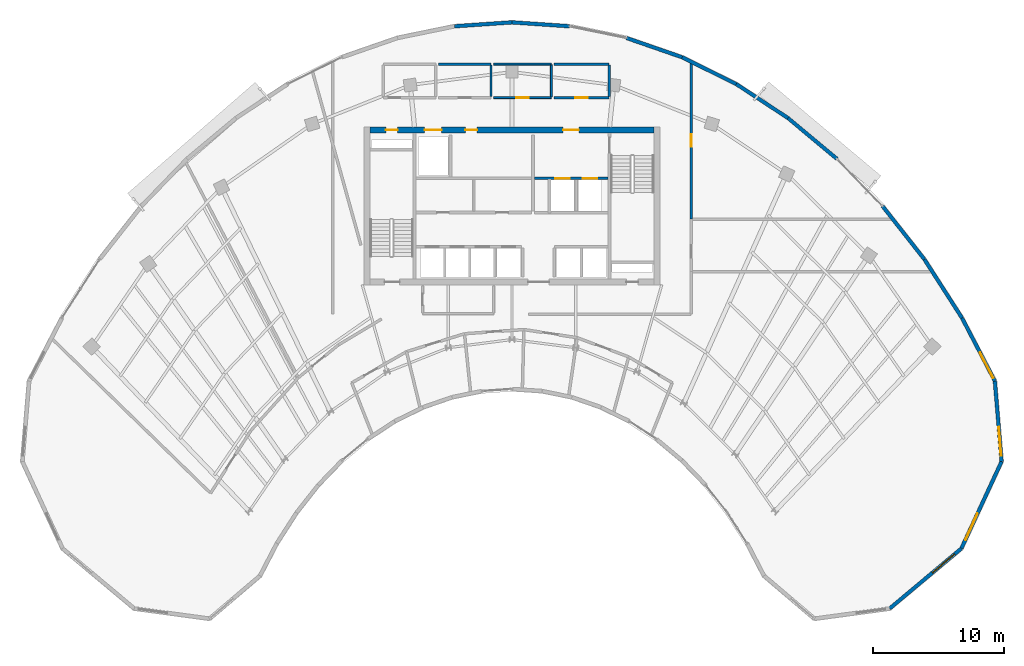
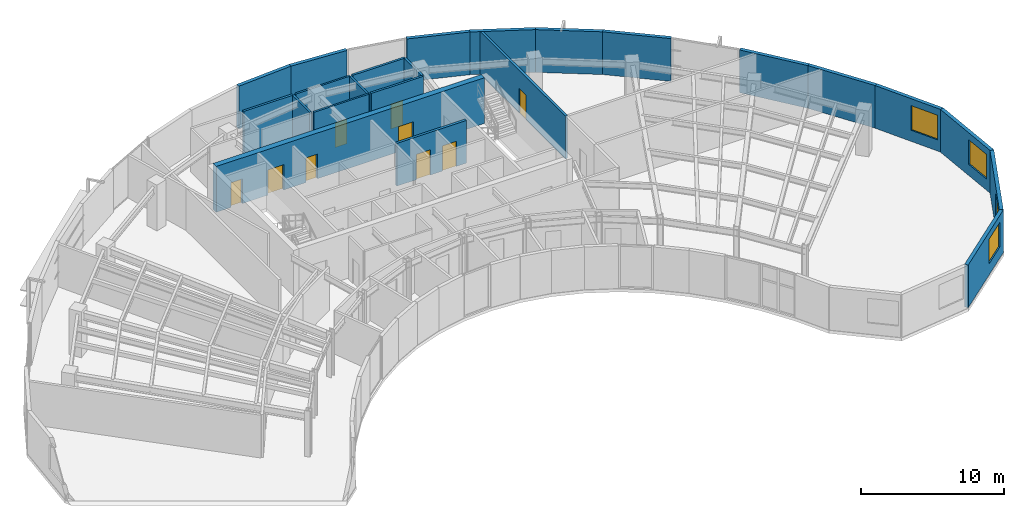
# One storey, part 11 of 14: 23 walls, 9 doors, 4 windows, 13 openings.
"""IFC4 building model written with IfcOpenShell, lengths in metres."""

from ifc_helpers import new_model, si_unit, direction, frame, frame_2d, origin, place, context, subcontext, project, spatial, rectangle, extrude, source, transform, mapped, material, layer, layer_set, type_object, type_shapes, element, fill, save


model = new_model("IFC4")

# Units and contexts
model_context = context("Model", 3, precision=1e-05, world=origin(), true_north=direction((0.0, 1.0)))
body_context = subcontext(model_context, "Body", "Model", "MODEL_VIEW")
ifc_project = project(units=[si_unit("LENGTHUNIT", "METRE"), si_unit("AREAUNIT", "SQUARE_METRE"), si_unit("VOLUMEUNIT", "CUBIC_METRE"), si_unit("PLANEANGLEUNIT", "RADIAN"), si_unit("MASSUNIT", "GRAM", prefix="KILO")], contexts=[model_context])

# Site, building, storey
site_placement = place(None, origin())
site = spatial("IfcSite", under=ifc_project, at=site_placement, CompositionType="ELEMENT")
building_placement = place(site_placement, origin())
building = spatial("IfcBuilding", under=site, at=building_placement, Name="Breltana Convention Tower", CompositionType="ELEMENT")
storey_placement = place(building_placement, frame((0.0, 0.0, 219.60009765625)))
storey = spatial("IfcBuildingStorey", under=building, at=storey_placement, Name="L53", CompositionType="ELEMENT", Elevation=219.60009765625)

# Wall, openings, doors
ifc_material_1 = material(Name="Concrete C60/75", Category="concrete")
ifc_layer_1 = layer(ifc_material_1, 0.449951171875, Name="Concrete C60/75")
ifc_layer_set_1 = layer_set([ifc_layer_1], Name="Concrete C60/75")
wall_type_1 = type_object("IfcWallType", Name="SW-CORE-450", PredefinedType="SHEAR", material=ifc_layer_set_1)
shared_shape_1 = source(origin(), body_context, "Body", "SweptSolid", [
    extrude(rectangle(XDim=21.60009765625, YDim=0.449951171875, at=frame_2d((10.800048828125, 0.0))), origin(), (0.0, 0.0, 1.0), 3.89990234375),
])
wall_1_placement = place(storey_placement, frame((37.199951171875, 71.97509765625, 0.0), z_axis=(0.0, 0.0, 1.0), x_axis=(1.0, 0.0, 0.0)))
wall_1 = element("IfcWall", 1, at=wall_1_placement, inside=storey, type_object=wall_type_1, Name="L53 North Core Shear Wall", PredefinedType="SHEAR", context=body_context, shape_type="MappedRepresentation", body=[
    mapped(shared_shape_1, transform((0.0, 0.0, 0.0), scale=1.0)),
])
opening_1_placement = place(wall_1_placement, frame((1.199951171875, 0.0, 0.0)))
opening_1 = element("IfcOpeningElement", 2, at=opening_1_placement, cuts=wall_1, Name="Opening D-18", PredefinedType="OPENING", context=body_context, shape_type="SweptSolid", body=[
    extrude(rectangle(XDim=0.89990234375, YDim=2.10009765625, at=frame_2d((0.449951171875, 1.050048828125))), frame((0.0, 0.23486328125, 0.0), z_axis=(0.0, -1.0, 0.0), x_axis=(1.0, 0.0, 0.0)), (0.0, 0.0, 1.0), 0.469970703125),
])
opening_2_placement = place(wall_1_placement, frame((14.699951171875, 0.0, 0.0)))
opening_2 = element("IfcOpeningElement", 3, at=opening_2_placement, cuts=wall_1, Name="Opening D-09", PredefinedType="OPENING", context=body_context, shape_type="SweptSolid", body=[
    extrude(rectangle(XDim=1.199951171875, YDim=2.14990234375, at=frame_2d((0.60009765625, 1.074951171875))), frame((0.0, 0.23486328125, 0.0), z_axis=(0.0, -1.0, 0.0), x_axis=(1.0, 0.0, 0.0)), (0.0, 0.0, 1.0), 0.469970703125),
])
opening_3_placement = place(wall_1_placement, frame((4.14990234375, 0.0, 0.0)))
opening_3 = element("IfcOpeningElement", 4, at=opening_3_placement, cuts=wall_1, Name="Opening LD-01", PredefinedType="OPENING", context=body_context, shape_type="SweptSolid", body=[
    extrude(rectangle(XDim=1.300048828125, YDim=2.14990234375, at=frame_2d((0.64990234375, 1.074951171875))), frame((0.0, 0.23486328125, 0.0), z_axis=(0.0, -1.0, 0.0), x_axis=(1.0, 0.0, 0.0)), (0.0, 0.0, 1.0), 0.469970703125),
])
opening_4_placement = place(wall_1_placement, frame((7.25, 0.0, 0.0)))
opening_4 = element("IfcOpeningElement", 5, at=opening_4_placement, cuts=wall_1, Name="Opening D-18", PredefinedType="OPENING", context=body_context, shape_type="SweptSolid", body=[
    extrude(rectangle(XDim=0.89990234375, YDim=2.10009765625, at=frame_2d((0.449951171875, 1.050048828125))), frame((0.0, 0.23486328125, 0.0), z_axis=(0.0, -1.0, 0.0), x_axis=(1.0, 0.0, 0.0)), (0.0, 0.0, 1.0), 0.469970703125),
])
ifc_material_2 = material(Name="Steel Riser Fire Door", Category="steel")
door_type_1 = type_object("IfcDoorType", Name="DR-FD60-900", OperationType="NOTDEFINED", PredefinedType="DOOR", material=ifc_material_2)
shared_shape_2 = source(origin(), body_context, "Body", "SweptSolid", [
    extrude(rectangle(XDim=0.89990234375, YDim=2.10009765625, at=frame_2d((0.449951171875, 1.050048828125))), frame((0.0, 0.02490234375, 0.0), z_axis=(0.0, -1.0, 0.0), x_axis=(1.0, 0.0, 0.0)), (0.0, 0.0, 1.0), 0.050048828125),
])
type_shapes(door_type_1, [shared_shape_2])
door_1_placement = place(opening_1_placement, origin())
door_1 = element("IfcDoor", 6, at=door_1_placement, inside=storey, type_object=door_type_1, Name="L53 Core Riser Access Door D-L53-RS1", OperationType="SINGLE_SWING_LEFT", OverallHeight=2.10009765625, OverallWidth=0.89990234375, PredefinedType="DOOR", context=body_context, shape_type="MappedRepresentation", body=[
    mapped(shared_shape_2, transform((0.0, 0.0, 0.0), scale=1.0)),
])
fill(opening_1, door_1)
door_2_placement = place(opening_4_placement, origin())
door_2 = element("IfcDoor", 7, at=door_2_placement, inside=storey, type_object=door_type_1, Name="L53 interior door D-L53-CRA1", OperationType="SINGLE_SWING_LEFT", OverallHeight=2.10009765625, OverallWidth=0.89990234375, PredefinedType="DOOR", context=body_context, shape_type="MappedRepresentation", body=[
    mapped(shared_shape_2, transform((0.0, 0.0, 0.0), scale=1.0)),
])
fill(opening_4, door_2)
ifc_material_3 = material(Name="Steel Fire Lobby Door", Category="steel")
door_type_2 = type_object("IfcDoorType", Name="DR-FD120-1200", OperationType="NOTDEFINED", PredefinedType="DOOR", material=ifc_material_3)
shared_shape_3 = source(origin(), body_context, "Body", "SweptSolid", [
    extrude(rectangle(XDim=1.199951171875, YDim=2.14990234375, at=frame_2d((0.60009765625, 1.074951171875))), frame((0.0, 0.02490234375, 0.0), z_axis=(0.0, -1.0, 0.0), x_axis=(1.0, 0.0, 0.0)), (0.0, 0.0, 1.0), 0.050048828125),
])
type_shapes(door_type_2, [shared_shape_3])
door_3_placement = place(opening_2_placement, origin())
door_3 = element("IfcDoor", 8, at=door_3_placement, inside=storey, type_object=door_type_2, Name="L53 interior door D-L53-FFL-N", OperationType="SINGLE_SWING_RIGHT", OverallHeight=2.14990234375, OverallWidth=1.199951171875, PredefinedType="DOOR", context=body_context, shape_type="MappedRepresentation", body=[
    mapped(shared_shape_3, transform((0.0, 0.0, 0.0), scale=1.0)),
])
fill(opening_2, door_3)
ifc_material_4 = material(Name="Stainless Steel Brushed", Category="steel")
door_type_3 = type_object("IfcDoorType", Name="DR-LD-SRV-1300", OperationType="DOUBLE_DOOR_SLIDING", PredefinedType="DOOR", material=ifc_material_4)
shared_shape_4 = source(origin(), body_context, "Body", "SweptSolid", [
    extrude(rectangle(XDim=1.300048828125, YDim=2.14990234375, at=frame_2d((0.64990234375, 1.074951171875))), frame((0.0, 0.02490234375, 0.0), z_axis=(0.0, -1.0, 0.0), x_axis=(1.0, 0.0, 0.0)), (0.0, 0.0, 1.0), 0.050048828125),
])
type_shapes(door_type_3, [shared_shape_4])
door_4_placement = place(opening_3_placement, origin())
door_4 = element("IfcDoor", 9, at=door_4_placement, inside=storey, type_object=door_type_3, Name="L53 Lift Landing Door D-L53-LD-SV1", OperationType="DOUBLE_DOOR_SLIDING", OverallHeight=2.14990234375, OverallWidth=1.300048828125, PredefinedType="DOOR", context=body_context, shape_type="MappedRepresentation", body=[
    mapped(shared_shape_4, transform((0.0, 0.0, 0.0), scale=1.0)),
])
fill(opening_3, door_4)

# Wall, opening, window
ifc_material_5 = material(Name="Limestone Buff Insulated Wall", Category="masonry")
ifc_layer_2 = layer(ifc_material_5, 0.280029296875, Name="Limestone Buff Insulated Wall")
ifc_layer_set_2 = layer_set([ifc_layer_2], Name="Limestone Buff Insulated Wall")
wall_type_2 = type_object("IfcWallType", Name="WL-EXT-NOSE-280", PredefinedType="SOLIDWALL", material=ifc_layer_set_2)
shared_shape_5 = source(origin(), body_context, "Body", "SweptSolid", [
    extrude(rectangle(XDim=6.145751953125, YDim=0.280029296875, at=frame_2d((3.07275390625, 0.0))), origin(), (0.0, 0.0, 1.0), 3.639892578125),
])
wall_2_placement = place(storey_placement, frame((84.756103515625, 52.87353515625, 0.0), z_axis=(0.0, 0.0, 1.0), x_axis=(0.083301904456, -0.996524356307, 0.0)))
wall_2 = element("IfcWall", 10, at=wall_2_placement, inside=storey, type_object=wall_type_2, Name="L53 curved limestone nose wall E1", PredefinedType="SOLIDWALL", context=body_context, shape_type="MappedRepresentation", body=[
    mapped(shared_shape_5, transform((0.0, 0.0, 0.0), scale=1.0)),
])
opening_5_placement = place(wall_2_placement, frame((3.50927734375, 0.0, 0.949951171875)))
opening_5 = element("IfcOpeningElement", 11, at=opening_5_placement, cuts=wall_2, Name="Opening W-03", PredefinedType="OPENING", context=body_context, shape_type="SweptSolid", body=[
    extrude(rectangle(XDim=2.199951171875, YDim=2.10009765625, at=frame_2d((1.10009765625, 1.050048828125))), frame((0.0, 0.14990234375, 0.0), z_axis=(0.0, -1.0, 0.0), x_axis=(1.0, 0.0, 0.0)), (0.0, 0.0, 1.0), 0.300048828125),
])
ifc_material_6 = material(Name="Glass Low-E Insulated Window", Category="glass")
window_type = type_object("IfcWindowType", Name="WN-NOSE-2200X2100", PartitioningType="TRIPLE_PANEL_VERTICAL", PredefinedType="WINDOW", material=ifc_material_6)
shared_shape_6 = source(origin(), body_context, "Body", "SweptSolid", [
    extrude(rectangle(XDim=2.199951171875, YDim=2.10009765625, at=frame_2d((1.10009765625, 1.050048828125))), frame((0.0, 0.030029296875, 0.0), z_axis=(0.0, -1.0, 0.0), x_axis=(1.0, 0.0, 0.0)), (0.0, 0.0, 1.0), 0.06005859375),
])
type_shapes(window_type, [shared_shape_6])
window_1_placement = place(opening_5_placement, origin())
window_1 = element("IfcWindow", 12, at=window_1_placement, inside=storey, type_object=window_type, Name="L53 nose window E1", OverallHeight=2.10009765625, OverallWidth=2.199951171875, PartitioningType="TRIPLE_PANEL_VERTICAL", PredefinedType="WINDOW", context=body_context, shape_type="MappedRepresentation", body=[
    mapped(shared_shape_6, transform((0.0, 0.0, 0.0), scale=1.0)),
])
fill(opening_5, window_1)

shared_shape_7 = source(origin(), body_context, "Body", "SweptSolid", [
    extrude(rectangle(XDim=7.29150390625, YDim=0.280029296875, at=frame_2d((3.645751953125, 0.0))), origin(), (0.0, 0.0, 1.0), 3.639892578125),
])
wall_3_placement = place(storey_placement, frame((85.26806640625, 46.7490234375, 0.0), z_axis=(0.0, 0.0, 1.0), x_axis=(-0.419642001049, -0.907689699708, 0.0)))
wall_3 = element("IfcWall", 13, at=wall_3_placement, inside=storey, type_object=wall_type_2, Name="L53 curved limestone nose wall E2", PredefinedType="SOLIDWALL", context=body_context, shape_type="MappedRepresentation", body=[
    mapped(shared_shape_7, transform((0.0, 0.0, 0.0), scale=1.0)),
])
opening_6_placement = place(wall_3_placement, frame((4.36865234375, 0.0, 0.949951171875)))
opening_6 = element("IfcOpeningElement", 14, at=opening_6_placement, cuts=wall_3, Name="Opening W-03", PredefinedType="OPENING", context=body_context, shape_type="SweptSolid", body=[
    extrude(rectangle(XDim=2.199951171875, YDim=2.10009765625, at=frame_2d((1.10009765625, 1.050048828125))), frame((0.0, 0.14990234375, 0.0), z_axis=(0.0, -1.0, 0.0), x_axis=(1.0, 0.0, 0.0)), (0.0, 0.0, 1.0), 0.300048828125),
])
window_2_placement = place(opening_6_placement, origin())
window_2 = element("IfcWindow", 15, at=window_2_placement, inside=storey, type_object=window_type, Name="L53 nose window E2", OverallHeight=2.10009765625, OverallWidth=2.199951171875, PartitioningType="TRIPLE_PANEL_VERTICAL", PredefinedType="WINDOW", context=body_context, shape_type="MappedRepresentation", body=[
    mapped(shared_shape_6, transform((0.0, 0.0, 0.0), scale=1.0)),
])
fill(opening_6, window_2)

shared_shape_8 = source(origin(), body_context, "Body", "SweptSolid", [
    extrude(rectangle(XDim=7.11962890625, YDim=0.280029296875, at=frame_2d((3.559814453125, 0.0))), origin(), (0.0, 0.0, 1.0), 3.639892578125),
])
wall_4_placement = place(storey_placement, frame((82.208251953125, 40.130615234375, 0.0), z_axis=(0.0, 0.0, 1.0), x_axis=(-0.766709783564, -0.641993853387, 0.0)))
wall_4 = element("IfcWall", 16, at=wall_4_placement, inside=storey, type_object=wall_type_2, Name="L53 curved limestone nose wall E3", PredefinedType="SOLIDWALL", context=body_context, shape_type="MappedRepresentation", body=[
    mapped(shared_shape_8, transform((0.0, 0.0, 0.0), scale=1.0)),
])
opening_7_placement = place(wall_4_placement, frame((0.679931640625, 0.0, 0.949951171875)))
opening_7 = element("IfcOpeningElement", 17, at=opening_7_placement, cuts=wall_4, Name="Opening W-03", PredefinedType="OPENING", context=body_context, shape_type="SweptSolid", body=[
    extrude(rectangle(XDim=2.199951171875, YDim=2.10009765625, at=frame_2d((1.10009765625, 1.050048828125))), frame((0.0, 0.14990234375, 0.0), z_axis=(0.0, -1.0, 0.0), x_axis=(1.0, 0.0, 0.0)), (0.0, 0.0, 1.0), 0.300048828125),
])
window_3_placement = place(opening_7_placement, origin())
window_3 = element("IfcWindow", 18, at=window_3_placement, inside=storey, type_object=window_type, Name="L53 nose window E3", OverallHeight=2.10009765625, OverallWidth=2.199951171875, PartitioningType="TRIPLE_PANEL_VERTICAL", PredefinedType="WINDOW", context=body_context, shape_type="MappedRepresentation", body=[
    mapped(shared_shape_6, transform((0.0, 0.0, 0.0), scale=1.0)),
])
fill(opening_7, window_3)

shared_shape_9 = source(origin(), body_context, "Body", "SweptSolid", [
    extrude(rectangle(XDim=5.41552734375, YDim=0.280029296875, at=frame_2d((2.707763671875, 0.0))), origin(), (0.0, 0.0, 1.0), 3.639892578125),
])
wall_5_placement = place(storey_placement, frame((82.25537109375, 57.677001953125, 0.0), z_axis=(0.0, 0.0, 1.0), x_axis=(0.46177852435, -0.886995261796, 0.0)))
wall_5 = element("IfcWall", 19, at=wall_5_placement, inside=storey, type_object=wall_type_2, Name="L53 curved limestone nose wall E34", PredefinedType="SOLIDWALL", context=body_context, shape_type="MappedRepresentation", body=[
    mapped(shared_shape_9, transform((0.0, 0.0, 0.0), scale=1.0)),
])
opening_8_placement = place(wall_5_placement, frame((2.961669921875, 0.0, 0.949951171875)))
opening_8 = element("IfcOpeningElement", 20, at=opening_8_placement, cuts=wall_5, Name="Opening W-03", PredefinedType="OPENING", context=body_context, shape_type="SweptSolid", body=[
    extrude(rectangle(XDim=2.199951171875, YDim=2.10009765625, at=frame_2d((1.10009765625, 1.050048828125))), frame((0.0, 0.14990234375, 0.0), z_axis=(0.0, -1.0, 0.0), x_axis=(1.0, 0.0, 0.0)), (0.0, 0.0, 1.0), 0.300048828125),
])
window_4_placement = place(opening_8_placement, origin())
window_4 = element("IfcWindow", 21, at=window_4_placement, inside=storey, type_object=window_type, Name="L53 nose window E34", OverallHeight=2.10009765625, OverallWidth=2.199951171875, PartitioningType="TRIPLE_PANEL_VERTICAL", PredefinedType="WINDOW", context=body_context, shape_type="MappedRepresentation", body=[
    mapped(shared_shape_6, transform((0.0, 0.0, 0.0), scale=1.0)),
])
fill(opening_8, window_4)

# Walls
shared_shape_10 = source(origin(), body_context, "Body", "SweptSolid", [
    extrude(rectangle(XDim=5.153076171875, YDim=0.280029296875, at=frame_2d((2.57666015625, 0.0))), origin(), (0.0, 0.0, 1.0), 3.639892578125),
])
wall_6_placement = place(storey_placement, frame((76.205322265625, 66.190185546875, 0.0), z_axis=(0.0, 0.0, 1.0), x_axis=(0.618179283891, -0.786037132054, 0.0)))
element("IfcWall", 22, at=wall_6_placement, inside=storey, type_object=wall_type_2, Name="L53 curved limestone nose wall E32", PredefinedType="SOLIDWALL", context=body_context, shape_type="MappedRepresentation", body=[
    mapped(shared_shape_10, transform((0.0, 0.0, 0.0), scale=1.0)),
])
shared_shape_11 = source(origin(), body_context, "Body", "SweptSolid", [
    extrude(rectangle(XDim=4.851806640625, YDim=0.280029296875, at=frame_2d((2.42578125, 0.0))), origin(), (0.0, 0.0, 1.0), 3.639892578125),
])
wall_7_placement = place(storey_placement, frame((69.006103515625, 72.8955078125, 0.0), z_axis=(0.0, 0.0, 1.0), x_axis=(0.767936605821, -0.640525853843, 0.0)))
element("IfcWall", 23, at=wall_7_placement, inside=storey, type_object=wall_type_2, Name="L53 curved limestone nose wall E31", PredefinedType="SOLIDWALL", context=body_context, shape_type="MappedRepresentation", body=[
    mapped(shared_shape_11, transform((0.0, 0.0, 0.0), scale=1.0)),
])
shared_shape_12 = source(origin(), body_context, "Body", "SweptSolid", [
    extrude(rectangle(XDim=4.712646484375, YDim=0.280029296875, at=frame_2d((2.3564453125, 0.0))), origin(), (0.0, 0.0, 1.0), 3.639892578125),
])
wall_8_placement = place(storey_placement, frame((65.06640625, 75.481689453125, 0.0), z_axis=(0.0, 0.0, 1.0), x_axis=(0.835974386457, -0.548768462275, 0.0)))
element("IfcWall", 24, at=wall_8_placement, inside=storey, type_object=wall_type_2, Name="L53 curved limestone nose wall E30", PredefinedType="SOLIDWALL", context=body_context, shape_type="MappedRepresentation", body=[
    mapped(shared_shape_12, transform((0.0, 0.0, 0.0), scale=1.0)),
])
shared_shape_13 = source(origin(), body_context, "Body", "SweptSolid", [
    extrude(rectangle(XDim=4.59033203125, YDim=0.280029296875, at=frame_2d((2.295166015625, 0.0))), origin(), (0.0, 0.0, 1.0), 3.639892578125),
])
wall_9_placement = place(storey_placement, frame((60.95361328125, 77.520263671875, 0.0), z_axis=(0.0, 0.0, 1.0), x_axis=(0.895974834987, -0.444104824418, 0.0)))
element("IfcWall", 25, at=wall_9_placement, inside=storey, type_object=wall_type_2, Name="L53 curved limestone nose wall E29", PredefinedType="SOLIDWALL", context=body_context, shape_type="MappedRepresentation", body=[
    mapped(shared_shape_13, transform((0.0, 0.0, 0.0), scale=1.0)),
])
shared_shape_14 = source(origin(), body_context, "Body", "SweptSolid", [
    extrude(rectangle(XDim=4.4921875, YDim=0.280029296875, at=frame_2d((2.24609375, 0.0))), origin(), (0.0, 0.0, 1.0), 3.639892578125),
])
wall_10_placement = place(storey_placement, frame((56.708984375, 78.9912109375, 0.0), z_axis=(0.0, 0.0, 1.0), x_axis=(0.944872297412, -0.32743906545, 0.0)))
element("IfcWall", 26, at=wall_10_placement, inside=storey, type_object=wall_type_2, Name="L53 curved limestone nose wall E28", PredefinedType="SOLIDWALL", context=body_context, shape_type="MappedRepresentation", body=[
    mapped(shared_shape_14, transform((0.0, 0.0, 0.0), scale=1.0)),
])
shared_shape_15 = source(origin(), body_context, "Body", "SweptSolid", [
    extrude(rectangle(XDim=4.38671875, YDim=0.280029296875, at=frame_2d((2.193359375, 0.0))), origin(), (0.0, 0.0, 1.0), 3.639892578125),
])
for number, where, z_axis, x_axis, name in (
    (27, (43.623291015625, 79.87939453125, 0.0), (0.0, 0.0, 1.0), (0.997703650546, 0.06773053733, 0.0), "L53 curved limestone nose wall E26"),
    (28, (48.0, 80.176513671875, 0.0), (0.0, 0.0, 1.0), (0.997703650546, -0.06773053733, 0.0), "L53 curved limestone nose wall E27"),
):
    element("IfcWall", number, at=place(storey_placement, frame(where, z_axis=z_axis, x_axis=x_axis)), inside=storey, type_object=wall_type_2, Name=name, PredefinedType="SOLIDWALL", context=body_context, shape_type="MappedRepresentation", body=[
        mapped(shared_shape_15, transform((0.0, 0.0, 0.0), scale=1.0)),
    ])
shared_shape_16 = source(origin(), body_context, "Body", "SweptSolid", [
    extrude(rectangle(XDim=5.302978515625, YDim=0.280029296875, at=frame_2d((2.6513671875, 0.0))), origin(), (0.0, 0.0, 1.0), 3.639892578125),
])
wall_11_placement = place(storey_placement, frame((79.390869140625, 62.1396484375, 0.0), z_axis=(0.0, 0.0, 1.0), x_axis=(0.540178067041, -0.84155074469, 0.0)))
element("IfcWall", 29, at=wall_11_placement, inside=storey, type_object=wall_type_2, Name="L53 curved limestone nose wall E33", PredefinedType="SOLIDWALL", context=body_context, shape_type="MappedRepresentation", body=[
    mapped(shared_shape_16, transform((0.0, 0.0, 0.0), scale=1.0)),
])

# Wall, openings, doors
ifc_material_7 = material(Name="Autoclaved Aerated Concrete Block", Category="concrete")
ifc_layer_3 = layer(ifc_material_7, 0.199951171875, Name="Autoclaved Aerated Concrete Block")
ifc_layer_set_3 = layer_set([ifc_layer_3], Name="Autoclaved Aerated Concrete Block")
wall_type_3 = type_object("IfcWallType", Name="WL-SHAFT-200", PredefinedType="SOLIDWALL", material=ifc_layer_set_3)
shared_shape_17 = source(origin(), body_context, "Body", "SweptSolid", [
    extrude(rectangle(XDim=5.6201171875, YDim=0.199951171875, at=frame_2d((2.81005859375, 0.0))), origin(), (0.0, 0.0, 1.0), 3.639892578125),
])
wall_12_placement = place(storey_placement, frame((49.699951171875, 68.300048828125, 0.0), z_axis=(0.0, 0.0, 1.0), x_axis=(1.0, 0.0, 0.0)))
wall_12 = element("IfcWall", 30, at=wall_12_placement, inside=storey, type_object=wall_type_3, Name="L53 interior partition W-L53-FFL-S", PredefinedType="SOLIDWALL", context=body_context, shape_type="MappedRepresentation", body=[
    mapped(shared_shape_17, transform((0.0, 0.0, 0.0), scale=1.0)),
])
opening_9_placement = place(wall_12_placement, frame((1.60009765625, 0.0, 0.0)))
opening_9 = element("IfcOpeningElement", 31, at=opening_9_placement, cuts=wall_12, Name="Opening LD-03", PredefinedType="OPENING", context=body_context, shape_type="SweptSolid", body=[
    extrude(rectangle(XDim=1.10009765625, YDim=2.14990234375, at=frame_2d((0.550048828125, 1.074951171875))), frame((0.0, 0.10986328125, 0.0), z_axis=(0.0, -1.0, 0.0), x_axis=(1.0, 0.0, 0.0)), (0.0, 0.0, 1.0), 0.219970703125),
])
opening_10_placement = place(wall_12_placement, frame((3.699951171875, 0.0, 0.0)))
opening_10 = element("IfcOpeningElement", 32, at=opening_10_placement, cuts=wall_12, Name="Opening LD-03", PredefinedType="OPENING", context=body_context, shape_type="SweptSolid", body=[
    extrude(rectangle(XDim=1.10009765625, YDim=2.14990234375, at=frame_2d((0.550048828125, 1.074951171875))), frame((0.0, 0.10986328125, 0.0), z_axis=(0.0, -1.0, 0.0), x_axis=(1.0, 0.0, 0.0)), (0.0, 0.0, 1.0), 0.219970703125),
])
door_type_4 = type_object("IfcDoorType", Name="DR-LD-FF-1100", OperationType="DOUBLE_DOOR_SLIDING", PredefinedType="DOOR", material=ifc_material_4)
shared_shape_18 = source(origin(), body_context, "Body", "SweptSolid", [
    extrude(rectangle(XDim=1.10009765625, YDim=2.14990234375, at=frame_2d((0.550048828125, 1.074951171875))), frame((0.0, 0.02490234375, 0.0), z_axis=(0.0, -1.0, 0.0), x_axis=(1.0, 0.0, 0.0)), (0.0, 0.0, 1.0), 0.050048828125),
])
type_shapes(door_type_4, [shared_shape_18])
door_5_placement = place(opening_9_placement, origin())
door_5 = element("IfcDoor", 33, at=door_5_placement, inside=storey, type_object=door_type_4, Name="L53 Lift Landing Door D-L53-LD-FL1", OperationType="DOUBLE_DOOR_SLIDING", OverallHeight=2.14990234375, OverallWidth=1.10009765625, PredefinedType="DOOR", context=body_context, shape_type="MappedRepresentation", body=[
    mapped(shared_shape_18, transform((0.0, 0.0, 0.0), scale=1.0)),
])
fill(opening_9, door_5)
door_6_placement = place(opening_10_placement, origin())
door_6 = element("IfcDoor", 34, at=door_6_placement, inside=storey, type_object=door_type_4, Name="L53 Lift Landing Door D-L53-LD-FL2", OperationType="DOUBLE_DOOR_SLIDING", OverallHeight=2.14990234375, OverallWidth=1.10009765625, PredefinedType="DOOR", context=body_context, shape_type="MappedRepresentation", body=[
    mapped(shared_shape_18, transform((0.0, 0.0, 0.0), scale=1.0)),
])
fill(opening_10, door_6)

# Walls
ifc_material_8 = material(Name="Moisture-Resistant Gypsum Chase Wall")
ifc_layer_4 = layer(ifc_material_8, 0.179931640625, Name="Moisture-Resistant Gypsum Chase Wall")
ifc_layer_set_4 = layer_set([ifc_layer_4], Name="Moisture-Resistant Gypsum Chase Wall")
wall_type_4 = type_object("IfcWallType", Name="WL-PLUMB-180", PredefinedType="PLUMBINGWALL", material=ifc_layer_set_4)
shared_shape_19 = source(origin(), body_context, "Body", "SweptSolid", [
    extrude(rectangle(XDim=4.0, YDim=0.179931640625, at=frame_2d((2.0, 0.0))), origin(), (0.0, 0.0, 1.0), 3.639892578125),
])
wall_13_placement = place(storey_placement, frame((42.39990234375, 77.0, 0.0), z_axis=(0.0, 0.0, 1.0), x_axis=(1.0, 0.0, 0.0)))
element("IfcWall", 35, at=wall_13_placement, inside=storey, type_object=wall_type_4, Name="L53 interior partition W-L53-WCF-N", PredefinedType="PLUMBINGWALL", context=body_context, shape_type="MappedRepresentation", body=[
    mapped(shared_shape_19, transform((0.0, 0.0, 0.0), scale=1.0)),
])
ifc_material_9 = material(Name="Cement Board Wet-Area Partition")
ifc_layer_5 = layer(ifc_material_9, 0.175048828125, Name="Cement Board Wet-Area Partition")
ifc_layer_set_5 = layer_set([ifc_layer_5], Name="Cement Board Wet-Area Partition")
wall_type_5 = type_object("IfcWallType", Name="WL-WET-175", PredefinedType="PARTITIONING", material=ifc_layer_set_5)
shared_shape_20 = source(origin(), body_context, "Body", "SweptSolid", [
    extrude(rectangle(XDim=2.402587890625, YDim=0.175048828125, at=frame_2d((1.201171875, 0.0))), origin(), (0.0, 0.0, 1.0), 3.639892578125),
])
for number, where, z_axis, x_axis, name in (
    (36, (46.39990234375, 74.518798828125, 0.0), (0.0, 0.0, 1.0), (0.0, 1.0, 0.0), "L53 interior partition W-L53-WCF-E"),
    (37, (55.39990234375, 74.518798828125, 0.0), (0.0, 0.0, 1.0), (0.0, 1.0, 0.0), "L53 interior partition W-L53-WCA-E"),
):
    element("IfcWall", number, at=place(storey_placement, frame(where, z_axis=z_axis, x_axis=x_axis)), inside=storey, type_object=wall_type_5, Name=name, PredefinedType="PARTITIONING", context=body_context, shape_type="MappedRepresentation", body=[
        mapped(shared_shape_20, transform((0.0, 0.0, 0.0), scale=1.0)),
    ])

# Wall, opening, door
ifc_material_10 = material(Name="Gypsum Acoustic Drywall Partition")
ifc_layer_6 = layer(ifc_material_10, 0.14990234375, Name="Gypsum Acoustic Drywall Partition")
ifc_layer_set_6 = layer_set([ifc_layer_6], Name="Gypsum Acoustic Drywall Partition")
wall_type_6 = type_object("IfcWallType", Name="WL-PART-150", PredefinedType="PARTITIONING", material=ifc_layer_set_6)
shared_shape_21 = source(origin(), body_context, "Body", "SweptSolid", [
    extrude(rectangle(XDim=4.39990234375, YDim=0.14990234375, at=frame_2d((2.199951171875, 0.0))), origin(), (0.0, 0.0, 1.0), 3.639892578125),
])
wall_14_placement = place(storey_placement, frame((46.60009765625, 74.43994140625, 0.0), z_axis=(0.0, 0.0, 1.0), x_axis=(1.0, 0.0, 0.0)))
wall_14 = element("IfcWall", 38, at=wall_14_placement, inside=storey, type_object=wall_type_6, Name="L53 interior partition W-L53-PNT-S", PredefinedType="PARTITIONING", context=body_context, shape_type="MappedRepresentation", body=[
    mapped(shared_shape_21, transform((0.0, 0.0, 0.0), scale=1.0)),
])
opening_11_placement = place(wall_14_placement, frame((1.72509765625, 0.0, 0.0)))
opening_11 = element("IfcOpeningElement", 39, at=opening_11_placement, cuts=wall_14, Name="Opening D-17", PredefinedType="OPENING", context=body_context, shape_type="SweptSolid", body=[
    extrude(rectangle(XDim=0.949951171875, YDim=2.10009765625, at=frame_2d((0.47509765625, 1.050048828125))), frame((0.0, 0.0849609375, 0.0), z_axis=(0.0, -1.0, 0.0), x_axis=(1.0, 0.0, 0.0)), (0.0, 0.0, 1.0), 0.169921875),
])
ifc_material_11 = material(Name="Timber Oak Veneer Door", Category="wood")
door_type_5 = type_object("IfcDoorType", Name="DR-INT-950", OperationType="NOTDEFINED", PredefinedType="DOOR", material=ifc_material_11)
shared_shape_22 = source(origin(), body_context, "Body", "SweptSolid", [
    extrude(rectangle(XDim=0.949951171875, YDim=2.10009765625, at=frame_2d((0.47509765625, 1.050048828125))), frame((0.0, 0.02490234375, 0.0), z_axis=(0.0, -1.0, 0.0), x_axis=(1.0, 0.0, 0.0)), (0.0, 0.0, 1.0), 0.050048828125),
])
type_shapes(door_type_5, [shared_shape_22])
door_7_placement = place(opening_11_placement, origin())
door_7 = element("IfcDoor", 40, at=door_7_placement, inside=storey, type_object=door_type_5, Name="L53 interior door D-L53-PNT", OperationType="SINGLE_SWING_LEFT", OverallHeight=2.10009765625, OverallWidth=0.949951171875, PredefinedType="DOOR", context=body_context, shape_type="MappedRepresentation", body=[
    mapped(shared_shape_22, transform((0.0, 0.0, 0.0), scale=1.0)),
])
fill(opening_11, door_7)

# Walls
wall_15_placement = place(storey_placement, frame((46.60009765625, 77.0, 0.0), z_axis=(0.0, 0.0, 1.0), x_axis=(1.0, 0.0, 0.0)))
element("IfcWall", 41, at=wall_15_placement, inside=storey, type_object=wall_type_6, Name="L53 interior partition W-L53-PNT-N", PredefinedType="PARTITIONING", context=body_context, shape_type="MappedRepresentation", body=[
    mapped(shared_shape_21, transform((0.0, 0.0, 0.0), scale=1.0)),
])
shared_shape_23 = source(origin(), body_context, "Body", "SweptSolid", [
    extrude(rectangle(XDim=2.425048828125, YDim=0.14990234375, at=frame_2d((1.21240234375, 0.0))), origin(), (0.0, 0.0, 1.0), 3.639892578125),
])
wall_16_placement = place(storey_placement, frame((51.0, 74.507568359375, 0.0), z_axis=(0.0, 0.0, 1.0), x_axis=(0.0, 1.0, 0.0)))
element("IfcWall", 42, at=wall_16_placement, inside=storey, type_object=wall_type_6, Name="L53 interior partition W-L53-PNT-E", PredefinedType="PARTITIONING", context=body_context, shape_type="MappedRepresentation", body=[
    mapped(shared_shape_23, transform((0.0, 0.0, 0.0), scale=1.0)),
])

# Wall, opening, door
shared_shape_24 = source(origin(), body_context, "Body", "SweptSolid", [
    extrude(rectangle(XDim=4.199951171875, YDim=0.175048828125, at=frame_2d((2.10009765625, 0.0))), origin(), (0.0, 0.0, 1.0), 3.639892578125),
])
wall_17_placement = place(storey_placement, frame((51.199951171875, 74.43994140625, 0.0), z_axis=(0.0, 0.0, 1.0), x_axis=(1.0, 0.0, 0.0)))
wall_17 = element("IfcWall", 43, at=wall_17_placement, inside=storey, type_object=wall_type_5, Name="L53 interior partition W-L53-WCA-S", PredefinedType="PARTITIONING", context=body_context, shape_type="MappedRepresentation", body=[
    mapped(shared_shape_24, transform((0.0, 0.0, 0.0), scale=1.0)),
])
opening_12_placement = place(wall_17_placement, frame((1.625, 0.0, 0.0)))
opening_12 = element("IfcOpeningElement", 44, at=opening_12_placement, cuts=wall_17, Name="Opening D-16", PredefinedType="OPENING", context=body_context, shape_type="SweptSolid", body=[
    extrude(rectangle(XDim=0.949951171875, YDim=2.1201171875, at=frame_2d((0.47509765625, 1.06005859375))), frame((0.0, 0.09765625, 0.0), z_axis=(0.0, -1.0, 0.0), x_axis=(1.0, 0.0, 0.0)), (0.0, 0.0, 1.0), 0.195068359375),
])
ifc_material_12 = material(Name="Timber Laminate Accessible Door", Category="wood")
door_type_6 = type_object("IfcDoorType", Name="DR-ACC-950", OperationType="NOTDEFINED", PredefinedType="DOOR", material=ifc_material_12)
shared_shape_25 = source(origin(), body_context, "Body", "SweptSolid", [
    extrude(rectangle(XDim=0.949951171875, YDim=2.1201171875, at=frame_2d((0.47509765625, 1.06005859375))), frame((0.0, 0.02490234375, 0.0), z_axis=(0.0, -1.0, 0.0), x_axis=(1.0, 0.0, 0.0)), (0.0, 0.0, 1.0), 0.050048828125),
])
type_shapes(door_type_6, [shared_shape_25])
door_8_placement = place(opening_12_placement, origin())
door_8 = element("IfcDoor", 45, at=door_8_placement, inside=storey, type_object=door_type_6, Name="L53 interior door D-L53-WCA", OperationType="SINGLE_SWING_RIGHT", OverallHeight=2.1201171875, OverallWidth=0.949951171875, PredefinedType="DOOR", context=body_context, shape_type="MappedRepresentation", body=[
    mapped(shared_shape_25, transform((0.0, 0.0, 0.0), scale=1.0)),
])
fill(opening_12, door_8)

# Wall
shared_shape_26 = source(origin(), body_context, "Body", "SweptSolid", [
    extrude(rectangle(XDim=4.199951171875, YDim=0.179931640625, at=frame_2d((2.10009765625, 0.0))), origin(), (0.0, 0.0, 1.0), 3.639892578125),
])
wall_18_placement = place(storey_placement, frame((51.199951171875, 77.0, 0.0), z_axis=(0.0, 0.0, 1.0), x_axis=(1.0, 0.0, 0.0)))
element("IfcWall", 46, at=wall_18_placement, inside=storey, type_object=wall_type_4, Name="L53 interior partition W-L53-WCA-N", PredefinedType="PLUMBINGWALL", context=body_context, shape_type="MappedRepresentation", body=[
    mapped(shared_shape_26, transform((0.0, 0.0, 0.0), scale=1.0)),
])

# Wall, opening, door
ifc_material_13 = material(Name="Gypsum Acoustic Hotel Wall")
ifc_layer_7 = layer(ifc_material_13, 0.195068359375, Name="Gypsum Acoustic Hotel Wall")
ifc_layer_set_7 = layer_set([ifc_layer_7], Name="Gypsum Acoustic Hotel Wall")
wall_type_7 = type_object("IfcWallType", Name="WL-HOTEL-200", PredefinedType="PARTITIONING", material=ifc_layer_set_7)
shared_shape_27 = source(origin(), body_context, "Body", "SweptSolid", [
    extrude(rectangle(XDim=11.96875, YDim=0.195068359375, at=frame_2d((5.984375, 0.0))), origin(), (0.0, 0.0, 1.0), 3.639892578125),
])
wall_19_placement = place(storey_placement, frame((61.639892578125, 65.199951171875, 0.0), z_axis=(0.0, 0.0, 1.0), x_axis=(0.0, 1.0, 0.0)))
wall_19 = element("IfcWall", 47, at=wall_19_placement, inside=storey, type_object=wall_type_7, Name="L53 interior partition W-L53-EXE3-ENT", PredefinedType="PARTITIONING", context=body_context, shape_type="MappedRepresentation", body=[
    mapped(shared_shape_27, transform((0.0, 0.0, 0.0), scale=1.0)),
])
opening_13_placement = place(wall_19_placement, frame((5.509521484375, 0.0, 0.0)))
opening_13 = element("IfcOpeningElement", 48, at=opening_13_placement, cuts=wall_19, Name="Opening D-17", PredefinedType="OPENING", context=body_context, shape_type="SweptSolid", body=[
    extrude(rectangle(XDim=0.949951171875, YDim=2.10009765625, at=frame_2d((0.47509765625, 1.050048828125))), frame((0.0, 0.107421875, 0.0), z_axis=(0.0, -1.0, 0.0), x_axis=(1.0, 0.0, 0.0)), (0.0, 0.0, 1.0), 0.215087890625),
])
door_9_placement = place(opening_13_placement, origin())
door_9 = element("IfcDoor", 49, at=door_9_placement, inside=storey, type_object=door_type_5, Name="L53 interior door D-L53-EXE3", OperationType="SINGLE_SWING_RIGHT", OverallHeight=2.10009765625, OverallWidth=0.949951171875, PredefinedType="DOOR", context=body_context, shape_type="MappedRepresentation", body=[
    mapped(shared_shape_22, transform((0.0, 0.0, 0.0), scale=1.0)),
])
fill(opening_13, door_9)

save(model, "model.ifc")
